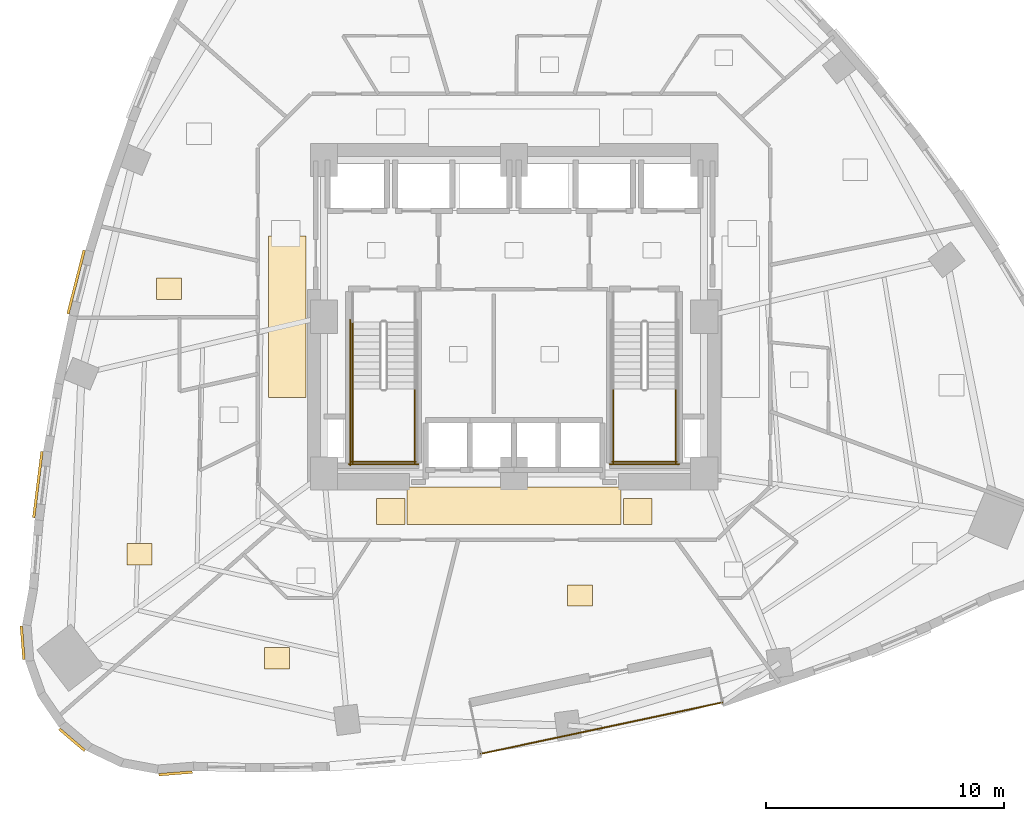
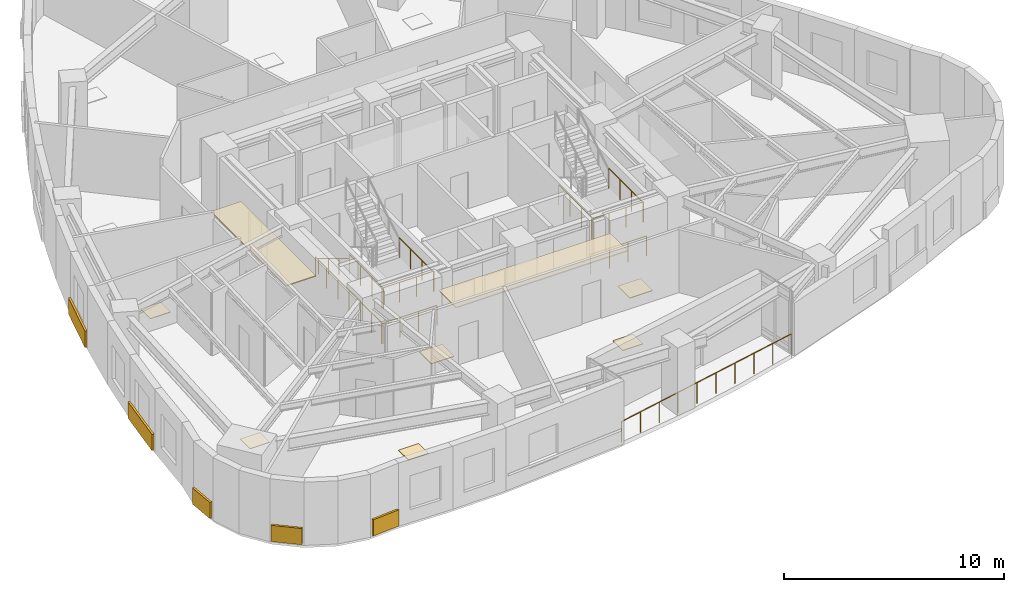
# One storey, part 10 of 12: 13 coverings, 11 railings.
"""IFC4 building model written with IfcOpenShell, lengths in metres."""

from ifc_helpers import new_model, si_unit, direction, frame, origin, origin_2d, place, context, subcontext, project, spatial, rectangle, circle, extrude, material, layer, layer_set, type_object, element, save


model = new_model("IFC4")

# Units and contexts
model_context = context("Model", 3, precision=1e-05, world=origin(), true_north=direction((0.0, 1.0)))
body_context = subcontext(model_context, "Body", "Model", "MODEL_VIEW")
ifc_project = project(units=[si_unit("LENGTHUNIT", "METRE"), si_unit("AREAUNIT", "SQUARE_METRE"), si_unit("VOLUMEUNIT", "CUBIC_METRE"), si_unit("PLANEANGLEUNIT", "RADIAN"), si_unit("MASSUNIT", "GRAM", prefix="KILO")], contexts=[model_context])

# Site, building, storey
site_placement = place(None, origin())
site = spatial("IfcSite", under=ifc_project, at=site_placement, CompositionType="ELEMENT")
building_placement = place(site_placement, origin())
building = spatial("IfcBuilding", under=site, at=building_placement, Name="Ndelora Gate Hotel", CompositionType="ELEMENT")
storey_placement = place(building_placement, frame((0.0, 0.0, 75.5)))
storey = spatial("IfcBuildingStorey", under=building, at=storey_placement, Name="L18", CompositionType="ELEMENT", Elevation=75.5)

# Coverings
ifc_material_1 = material(Name="Perforated Acoustic Gypsum Board", Category="gypsum")
ifc_layer_1 = layer(ifc_material_1, 0.054931640625)
ifc_layer_set_1 = layer_set([ifc_layer_1], Name="Perforated Acoustic Gypsum Board")
covering_type_1 = type_object("IfcCoveringType", Name="COV-CEIL-AC60", PredefinedType="CEILING", material=ifc_layer_set_1)
covering_1_placement = place(storey_placement, frame((-9.550048828125, 0.0, 2.65234375), z_axis=(0.0, 0.0, 1.0), x_axis=(1.0, 0.0, 0.0)))
element("IfcCovering", 1, at=covering_1_placement, inside=storey, type_object=covering_type_1, Name="L18 Guest Corridor Acoustic Ceiling W", PredefinedType="CEILING", context=body_context, shape_type="SweptSolid", body=[
    extrude(rectangle(XDim=1.580078125, YDim=6.800048828125, at=origin_2d()), origin(), (0.0, 0.0, 1.0), 0.054931640625),
])
covering_2_placement = place(storey_placement, frame((0.0, -7.9599609375, 2.65234375), z_axis=(0.0, 0.0, 1.0), x_axis=(1.0, 0.0, 0.0)))
element("IfcCovering", 2, at=covering_2_placement, inside=storey, type_object=covering_type_1, Name="L18 Guest Corridor Acoustic Ceiling S", PredefinedType="CEILING", context=body_context, shape_type="SweptSolid", body=[
    extrude(rectangle(XDim=9.0, YDim=1.580078125, at=origin_2d()), origin(), (0.0, 0.0, 1.0), 0.054931640625),
])
ifc_material_2 = material(Name="Terracotta Fired Clay Brick Slip Cladding", Category="masonry")
ifc_layer_2 = layer(ifc_material_2, 0.110107421875)
ifc_layer_set_2 = layer_set([ifc_layer_2], Name="Terracotta Fired Clay Brick Slip Cladding")
covering_type_2 = type_object("IfcCoveringType", Name="COV-CLAD-BRK", PredefinedType="CLADDING", material=ifc_layer_set_2)
covering_3_placement = place(storey_placement, frame((-18.433837890625, 1.464599609375, 0.10009765625), z_axis=(0.0, 0.0, 1.0), x_axis=(0.247506354292, 0.968886270202, 0.0)))
element("IfcCovering", 3, at=covering_3_placement, inside=storey, type_object=covering_type_2, Name="L18 Rounded-Corner Brick Cladding Band 16", PredefinedType="CLADDING", context=body_context, shape_type="SweptSolid", body=[
    extrude(rectangle(XDim=2.764892578125, YDim=0.110107421875, at=origin_2d()), origin(), (0.0, 0.0, 1.0), 0.89990234375),
])
covering_4_placement = place(storey_placement, frame((-20.043701171875, -7.0615234375, 0.10009765625), z_axis=(0.0, 0.0, 1.0), x_axis=(0.123774669453, 0.992310350244, 0.0)))
element("IfcCovering", 4, at=covering_4_placement, inside=storey, type_object=covering_type_2, Name="L18 Rounded-Corner Brick Cladding Band 19", PredefinedType="CLADDING", context=body_context, shape_type="SweptSolid", body=[
    extrude(rectangle(XDim=2.81103515625, YDim=0.110107421875, at=origin_2d()), origin(), (0.0, 0.0, 1.0), 0.89990234375),
])
for number, where, z_axis, x_axis, name in (
    (5, (-20.685546875, -13.723388671875, 0.10009765625), (0.0, 0.0, 1.0), (-0.078459095728, 0.996917333733, 0.0), "L18 Rounded-Corner Brick Cladding Band 22"),
    (6, (-18.606201171875, -17.80419921875, 0.10009765625), (0.0, 0.0, 1.0), (-0.7604059656, 0.64944804833, 0.0), "L18 Rounded-Corner Brick Cladding Band 25"),
    (7, (-14.250732421875, -19.219482421875, 0.10009765625), (0.0, 0.0, 1.0), (0.996917333733, 0.078459095728, 0.0), "L18 Rounded-Corner Brick Cladding Band 28"),
):
    element("IfcCovering", number, at=place(storey_placement, frame(where, z_axis=z_axis, x_axis=x_axis)), inside=storey, type_object=covering_type_2, Name=name, PredefinedType="CLADDING", context=body_context, shape_type="SweptSolid", body=[
        extrude(rectangle(XDim=1.4140625, YDim=0.110107421875, at=origin_2d()), origin(), (0.0, 0.0, 1.0), 0.89990234375),
    ])
ifc_material_3 = material(Name="Engineered Highland Oak Parquet", Category="wood")
ifc_layer_3 = layer(ifc_material_3, 0.030029296875)
ifc_layer_set_3 = layer_set([ifc_layer_3], Name="Engineered Highland Oak Parquet")
covering_type_3 = type_object("IfcCoveringType", Name="COV-FLR-PARQ", PredefinedType="FLOORING", material=ifc_layer_set_3)
for number, where, z_axis, x_axis, name in (
    (8, (-15.77001953125, -10.001953125, 0.0), (0.0, 0.0, 1.0), (1.0, 0.0, 0.0), "L18 Two-Bay Diplomatic Suite 2101 Oak Parquet Flooring"),
    (9, (-9.977783203125, -14.3671875, 0.0), (0.0, 0.0, 1.0), (1.0, 0.0, 0.0), "L18 Corner Executive Suite 2102 Oak Parquet Flooring"),
    (10, (2.782958984375, -11.73095703125, 0.0), (0.0, 0.0, 1.0), (1.0, 0.0, 0.0), "L18 Sky Garden Tea Dining Room Oak Parquet Flooring"),
    (11, (-14.523193359375, 1.17236328125, 0.0), (0.0, 0.0, 1.0), (1.0, 0.0, 0.0), "L18 Housekeeping and Linen Room Oak Parquet Flooring"),
):
    element("IfcCovering", number, at=place(storey_placement, frame(where, z_axis=z_axis, x_axis=x_axis)), inside=storey, type_object=covering_type_3, Name=name, PredefinedType="FLOORING", context=body_context, shape_type="SweptSolid", body=[
        extrude(rectangle(XDim=1.050048828125, YDim=0.89990234375, at=origin_2d()), origin(), (0.0, 0.0, 1.0), 0.030029296875),
    ])
ifc_material_4 = material(Name="Polished Highland Stone Terrazzo", Category="masonry")
ifc_layer_4 = layer(ifc_material_4, 0.034912109375)
ifc_layer_set_4 = layer_set([ifc_layer_4], Name="Polished Highland Stone Terrazzo")
covering_type_4 = type_object("IfcCoveringType", Name="COV-FLR-TERZ", PredefinedType="FLOORING", material=ifc_layer_set_4)
for number, where, z_axis, x_axis, name in (
    (12, (-5.199951171875, -8.199951171875, 0.0), (0.0, 0.0, 1.0), (1.0, 0.0, 0.0), "L18 Corridor Threshold Terrazzo Inlay SW"),
    (13, (5.199951171875, -8.199951171875, 0.0), (0.0, 0.0, 1.0), (1.0, 0.0, 0.0), "L18 Corridor Threshold Terrazzo Inlay SE"),
):
    element("IfcCovering", number, at=place(storey_placement, frame(where, z_axis=z_axis, x_axis=x_axis)), inside=storey, type_object=covering_type_4, Name=name, PredefinedType="FLOORING", context=body_context, shape_type="SweptSolid", body=[
        extrude(rectangle(XDim=1.199951171875, YDim=1.10009765625, at=origin_2d()), origin(), (0.0, 0.0, 1.0), 0.034912109375),
    ])

# Railings
ifc_material_5 = material(Name="Laminated Safety Glass and Bronze Top Rail", Category="glass")
ifc_layer_5 = layer(ifc_material_5, 0.070068359375)
ifc_layer_set_5 = layer_set([ifc_layer_5], Name="Laminated Safety Glass and Bronze Top Rail")
railing_type_1 = type_object("IfcRailingType", Name="RL-BAL-1150", PredefinedType="BALUSTRADE", material=ifc_layer_set_5)
railing_1_placement = place(storey_placement, frame((-1.406005859375, -18.39599609375, 0.0)))
element("IfcRailing", 14, at=railing_1_placement, inside=storey, type_object=railing_type_1, Name="L18 Sky-Garden Loggia Terrace Balustrade", PredefinedType="BALUSTRADE", context=body_context, shape_type="SweptSolid", body=[
    extrude(circle(Radius=0.02392578125, at=origin_2d()), frame((0.0, 0.0, 1.1357421875), z_axis=(0.978151452323, 0.207893569688, 0.0), x_axis=(-0.207893569688, 0.978151452323, 0.0)), (0.0, 0.0, 1.0), 10.400146484375),
    extrude(circle(Radius=0.02099609375, at=origin_2d()), origin(), (0.0, 0.0, 1.0), 1.11181640625),
    extrude(circle(Radius=0.02099609375, at=origin_2d()), frame((1.13037109375, 0.240234375, 0.0)), (0.0, 0.0, 1.0), 1.11181640625),
    extrude(circle(Radius=0.02099609375, at=origin_2d()), frame((2.2607421875, 0.48046875, 0.0)), (0.0, 0.0, 1.0), 1.11181640625),
    extrude(circle(Radius=0.02099609375, at=origin_2d()), frame((3.390869140625, 0.720703125, 0.0)), (0.0, 0.0, 1.0), 1.11181640625),
    extrude(circle(Radius=0.02099609375, at=origin_2d()), frame((4.521240234375, 0.9609375, 0.0)), (0.0, 0.0, 1.0), 1.11181640625),
    extrude(circle(Radius=0.02099609375, at=origin_2d()), frame((5.651611328125, 1.201171875, 0.0)), (0.0, 0.0, 1.0), 1.11181640625),
    extrude(circle(Radius=0.02099609375, at=origin_2d()), frame((6.781982421875, 1.44140625, 0.0)), (0.0, 0.0, 1.0), 1.11181640625),
    extrude(circle(Radius=0.02099609375, at=origin_2d()), frame((7.912109375, 1.681640625, 0.0)), (0.0, 0.0, 1.0), 1.11181640625),
    extrude(circle(Radius=0.02099609375, at=origin_2d()), frame((9.04248046875, 1.921875, 0.0)), (0.0, 0.0, 1.0), 1.11181640625),
    extrude(circle(Radius=0.02099609375, at=origin_2d()), frame((10.1728515625, 2.162109375, 0.0)), (0.0, 0.0, 1.0), 1.11181640625),
])
ifc_material_6 = material(Name="Painted Galvanized Steel Balustrade", Category="steel")
ifc_layer_6 = layer(ifc_material_6, 0.06005859375)
ifc_layer_set_6 = layer_set([ifc_layer_6], Name="Painted Galvanized Steel Balustrade")
railing_type_2 = type_object("IfcRailingType", Name="RL-STAIR-GD", PredefinedType="GUARDRAIL", material=ifc_layer_set_6)
for number, where, name in (
    (15, (-6.800048828125, -3.030029296875, 1.875), "L18 ST4 stair guard 3"),
    (16, (-4.179931640625, -3.030029296875, 1.875), "L18 ST4 stair guard 4"),
):
    element("IfcRailing", number, at=place(storey_placement, frame(where)), inside=storey, type_object=railing_type_2, Name=name, PredefinedType="GUARDRAIL", context=body_context, shape_type="SweptSolid", body=[
        extrude(circle(Radius=0.02392578125, at=origin_2d()), frame((0.0, 0.0, 1.10595703125), z_axis=(0.0, -1.0, 0.0), x_axis=(1.0, 0.0, 0.0)), (0.0, 0.0, 1.0), 3.119873046875),
        extrude(circle(Radius=0.02099609375, at=origin_2d()), origin(), (0.0, 0.0, 1.0), 1.081787109375),
        extrude(circle(Radius=0.02099609375, at=origin_2d()), frame((0.0, -1.0400390625, 0.0)), (0.0, 0.0, 1.0), 1.081787109375),
        extrude(circle(Radius=0.02099609375, at=origin_2d()), frame((0.0, -2.079833984375, 0.0)), (0.0, 0.0, 1.0), 1.081787109375),
        extrude(circle(Radius=0.02099609375, at=origin_2d()), frame((0.0, -3.119873046875, 0.0)), (0.0, 0.0, 1.0), 1.081787109375),
    ])
railing_2_placement = place(storey_placement, frame((-6.85009765625, -6.10009765625, 1.875)))
element("IfcRailing", 17, at=railing_2_placement, inside=storey, type_object=railing_type_2, Name="L18 ST4 stair guard 5", PredefinedType="GUARDRAIL", context=body_context, shape_type="SweptSolid", body=[
    extrude(circle(Radius=0.02392578125, at=origin_2d()), frame((0.0, 0.0, 1.10595703125), z_axis=(1.0, 0.0, 0.0), x_axis=(0.0, 1.0, 0.0)), (0.0, 0.0, 1.0), 2.72021484375),
    extrude(circle(Radius=0.02099609375, at=origin_2d()), origin(), (0.0, 0.0, 1.0), 1.081787109375),
    extrude(circle(Radius=0.02099609375, at=origin_2d()), frame((0.90673828125, 0.0, 0.0)), (0.0, 0.0, 1.0), 1.081787109375),
    extrude(circle(Radius=0.02099609375, at=origin_2d()), frame((1.8134765625, 0.0, 0.0)), (0.0, 0.0, 1.0), 1.081787109375),
    extrude(circle(Radius=0.02099609375, at=origin_2d()), frame((2.72021484375, 0.0, 0.0)), (0.0, 0.0, 1.0), 1.081787109375),
])
railing_3_placement = place(storey_placement, frame((-6.89990234375, -0.1298828125, 0.0)))
element("IfcRailing", 18, at=railing_3_placement, inside=storey, type_object=railing_type_2, Name="L18 ST4 stair guard 10", PredefinedType="GUARDRAIL", context=body_context, shape_type="SweptSolid", body=[
    extrude(circle(Radius=0.02392578125, at=origin_2d()), frame((0.0, 0.0, 1.10595703125), z_axis=(0.0, -1.0, 0.0), x_axis=(1.0, 0.0, 0.0)), (0.0, 0.0, 1.0), 6.1201171875),
    extrude(circle(Radius=0.02099609375, at=origin_2d()), origin(), (0.0, 0.0, 1.0), 1.081787109375),
    extrude(circle(Radius=0.02099609375, at=origin_2d()), frame((0.0, -1.02001953125, 0.0)), (0.0, 0.0, 1.0), 1.081787109375),
    extrude(circle(Radius=0.02099609375, at=origin_2d()), frame((0.0, -2.0400390625, 0.0)), (0.0, 0.0, 1.0), 1.081787109375),
    extrude(circle(Radius=0.02099609375, at=origin_2d()), frame((0.0, -3.06005859375, 0.0)), (0.0, 0.0, 1.0), 1.081787109375),
    extrude(circle(Radius=0.02099609375, at=origin_2d()), frame((0.0, -4.080078125, 0.0)), (0.0, 0.0, 1.0), 1.081787109375),
    extrude(circle(Radius=0.02099609375, at=origin_2d()), frame((0.0, -5.10009765625, 0.0)), (0.0, 0.0, 1.0), 1.081787109375),
    extrude(circle(Radius=0.02099609375, at=origin_2d()), frame((0.0, -6.1201171875, 0.0)), (0.0, 0.0, 1.0), 1.081787109375),
])
railing_4_placement = place(storey_placement, frame((-6.949951171875, -6.199951171875, 0.0)))
element("IfcRailing", 19, at=railing_4_placement, inside=storey, type_object=railing_type_2, Name="L18 ST4 stair guard 12", PredefinedType="GUARDRAIL", context=body_context, shape_type="SweptSolid", body=[
    extrude(circle(Radius=0.02392578125, at=origin_2d()), frame((0.0, 0.0, 1.10595703125), z_axis=(1.0, 0.0, 0.0), x_axis=(0.0, 1.0, 0.0)), (0.0, 0.0, 1.0), 2.919921875),
    extrude(circle(Radius=0.02099609375, at=origin_2d()), origin(), (0.0, 0.0, 1.0), 1.081787109375),
    extrude(circle(Radius=0.02099609375, at=origin_2d()), frame((0.973388671875, 0.0, 0.0)), (0.0, 0.0, 1.0), 1.081787109375),
    extrude(circle(Radius=0.02099609375, at=origin_2d()), frame((1.946533203125, 0.0, 0.0)), (0.0, 0.0, 1.0), 1.081787109375),
    extrude(circle(Radius=0.02099609375, at=origin_2d()), frame((2.919921875, 0.0, 0.0)), (0.0, 0.0, 1.0), 1.081787109375),
])
for number, where, name in (
    (20, (4.179931640625, -3.030029296875, 1.875), "L18 ST5 stair guard 3"),
    (21, (6.800048828125, -3.030029296875, 1.875), "L18 ST5 stair guard 4"),
):
    element("IfcRailing", number, at=place(storey_placement, frame(where)), inside=storey, type_object=railing_type_2, Name=name, PredefinedType="GUARDRAIL", context=body_context, shape_type="SweptSolid", body=[
        extrude(circle(Radius=0.02392578125, at=origin_2d()), frame((0.0, 0.0, 1.10595703125), z_axis=(0.0, -1.0, 0.0), x_axis=(1.0, 0.0, 0.0)), (0.0, 0.0, 1.0), 3.119873046875),
        extrude(circle(Radius=0.02099609375, at=origin_2d()), origin(), (0.0, 0.0, 1.0), 1.081787109375),
        extrude(circle(Radius=0.02099609375, at=origin_2d()), frame((0.0, -1.0400390625, 0.0)), (0.0, 0.0, 1.0), 1.081787109375),
        extrude(circle(Radius=0.02099609375, at=origin_2d()), frame((0.0, -2.079833984375, 0.0)), (0.0, 0.0, 1.0), 1.081787109375),
        extrude(circle(Radius=0.02099609375, at=origin_2d()), frame((0.0, -3.119873046875, 0.0)), (0.0, 0.0, 1.0), 1.081787109375),
    ])
railing_5_placement = place(storey_placement, frame((4.1298828125, -6.10009765625, 1.875)))
element("IfcRailing", 22, at=railing_5_placement, inside=storey, type_object=railing_type_2, Name="L18 ST5 stair guard 5", PredefinedType="GUARDRAIL", context=body_context, shape_type="SweptSolid", body=[
    extrude(circle(Radius=0.02392578125, at=origin_2d()), frame((0.0, 0.0, 1.10595703125), z_axis=(1.0, 0.0, 0.0), x_axis=(0.0, 1.0, 0.0)), (0.0, 0.0, 1.0), 2.72021484375),
    extrude(circle(Radius=0.02099609375, at=origin_2d()), origin(), (0.0, 0.0, 1.0), 1.081787109375),
    extrude(circle(Radius=0.02099609375, at=origin_2d()), frame((0.90673828125, 0.0, 0.0)), (0.0, 0.0, 1.0), 1.081787109375),
    extrude(circle(Radius=0.02099609375, at=origin_2d()), frame((1.8134765625, 0.0, 0.0)), (0.0, 0.0, 1.0), 1.081787109375),
    extrude(circle(Radius=0.02099609375, at=origin_2d()), frame((2.72021484375, 0.0, 0.0)), (0.0, 0.0, 1.0), 1.081787109375),
])
railing_6_placement = place(storey_placement, frame((4.030029296875, -6.199951171875, 0.0)))
element("IfcRailing", 23, at=railing_6_placement, inside=storey, type_object=railing_type_2, Name="L18 ST5 stair guard 12", PredefinedType="GUARDRAIL", context=body_context, shape_type="SweptSolid", body=[
    extrude(circle(Radius=0.02392578125, at=origin_2d()), frame((0.0, 0.0, 1.10595703125), z_axis=(1.0, 0.0, 0.0), x_axis=(0.0, 1.0, 0.0)), (0.0, 0.0, 1.0), 2.919921875),
    extrude(circle(Radius=0.02099609375, at=origin_2d()), origin(), (0.0, 0.0, 1.0), 1.081787109375),
    extrude(circle(Radius=0.02099609375, at=origin_2d()), frame((0.973388671875, 0.0, 0.0)), (0.0, 0.0, 1.0), 1.081787109375),
    extrude(circle(Radius=0.02099609375, at=origin_2d()), frame((1.946533203125, 0.0, 0.0)), (0.0, 0.0, 1.0), 1.081787109375),
    extrude(circle(Radius=0.02099609375, at=origin_2d()), frame((2.919921875, 0.0, 0.0)), (0.0, 0.0, 1.0), 1.081787109375),
])
ifc_material_7 = material(Name="Brushed Stainless Steel 316", Category="steel")
ifc_layer_7 = layer(ifc_material_7, 0.050048828125)
ifc_layer_set_7 = layer_set([ifc_layer_7], Name="Brushed Stainless Steel 316")
railing_type_3 = type_object("IfcRailingType", Name="RL-STAIR-HR", PredefinedType="HANDRAIL", material=ifc_layer_set_7)
railing_7_placement = place(storey_placement, frame((-6.800048828125, -0.22998046875, 0.17041015625)))
element("IfcRailing", 24, at=railing_7_placement, inside=storey, type_object=railing_type_3, Name="L18 ST4 stair handrail 1", PredefinedType="HANDRAIL", context=body_context, shape_type="SweptSolid", body=[
    extrude(circle(Radius=0.02392578125, at=origin_2d()), frame((0.0, 0.0, 0.8759765625), z_axis=(0.0, -0.854169791009, 0.51999420009), x_axis=(1.0, 0.0, 0.0)), (0.0, 0.0, 1.0), 3.278076171875),
    extrude(circle(Radius=0.02099609375, at=origin_2d()), origin(), (0.0, 0.0, 1.0), 0.851806640625),
    extrude(circle(Radius=0.02099609375, at=origin_2d()), frame((0.0, -0.933349609375, 0.568115234375)), (0.0, 0.0, 1.0), 0.851806640625),
    extrude(circle(Radius=0.02099609375, at=origin_2d()), frame((0.0, -1.86669921875, 1.136474609375)), (0.0, 0.0, 1.0), 0.851806640625),
    extrude(circle(Radius=0.02099609375, at=origin_2d()), frame((0.0, -2.800048828125, 1.70458984375)), (0.0, 0.0, 1.0), 0.851806640625),
])

save(model, "model.ifc")
